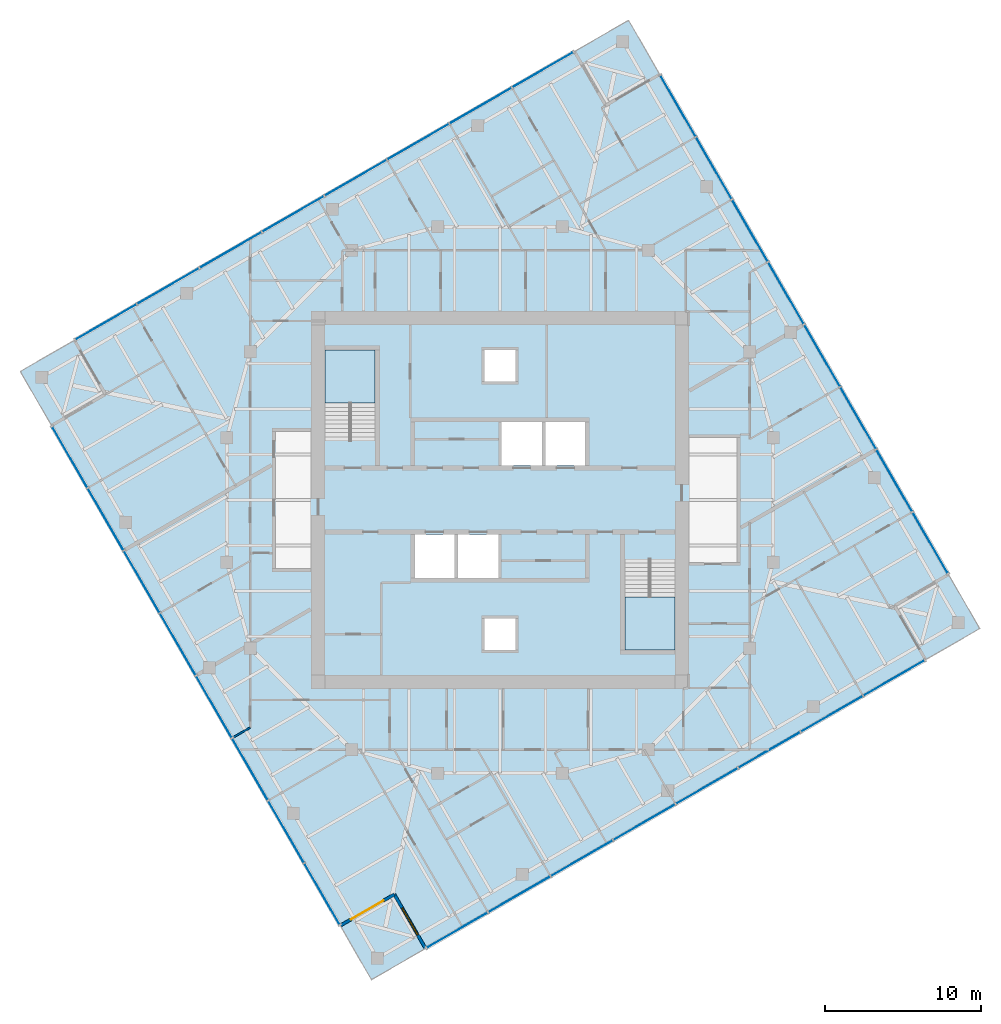
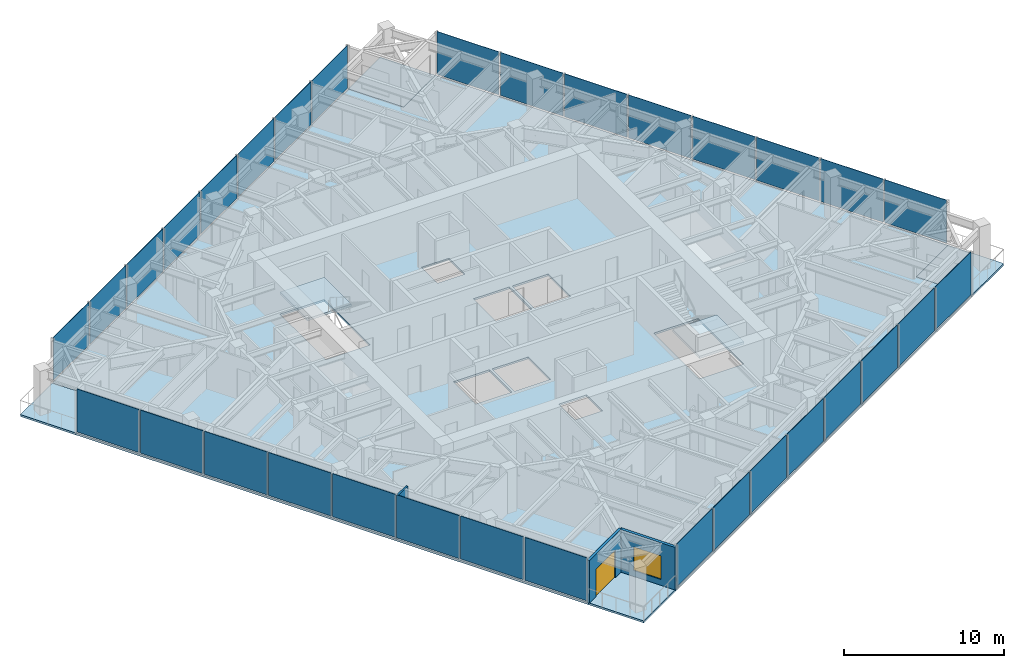
# One storey, part 6 of 12: 32 plates, 7 slabs, 3 walls, 1 door, 1 window, 2 openings, 6 elements without a shape of their own.
"""IFC4 building model written with IfcOpenShell, lengths in metres."""

from ifc_helpers import new_model, si_unit, direction, frame, frame_2d, origin, origin_2d, place, context, subcontext, project, spatial, polyline, rectangle, outline, extrude, material, layer, layer_set, type_object, element, fill, aggregate, save


model = new_model("IFC4")

# Units and contexts
model_context = context("Model", 3, precision=1e-05, world=origin(), true_north=direction((0.0, 1.0)))
body_context = subcontext(model_context, "Body", "Model", "MODEL_VIEW")
ifc_project = project(units=[si_unit("LENGTHUNIT", "METRE"), si_unit("AREAUNIT", "SQUARE_METRE"), si_unit("VOLUMEUNIT", "CUBIC_METRE"), si_unit("PLANEANGLEUNIT", "RADIAN"), si_unit("MASSUNIT", "GRAM", prefix="KILO")], contexts=[model_context])

# Site, building, storey
site_placement = place(None, origin())
site = spatial("IfcSite", under=ifc_project, at=site_placement, CompositionType="ELEMENT")
building_placement = place(site_placement, origin())
building = spatial("IfcBuilding", under=site, at=building_placement, Name="Torsade Residences", CompositionType="ELEMENT")
storey_placement = place(building_placement, frame((0.0, 0.0, 218.39990234375)))
storey = spatial("IfcBuildingStorey", under=building, at=storey_placement, Name="L60", CompositionType="ELEMENT", Elevation=218.39990234375)

# Slab
ifc_material_1 = material(Name="Concrete 40 MPa", Category="concrete")
ifc_layer_1 = layer(ifc_material_1, 0.14990234375)
ifc_layer_set_1 = layer_set([ifc_layer_1], Name="Concrete 40 MPa")
slab_type_1 = type_object("IfcSlabType", Name="COMPOSITE FLOOR SLAB 150", PredefinedType="FLOOR", material=ifc_layer_set_1)
slab_1_placement = place(storey_placement, frame((0.0, 0.0, -0.14990234375)))
element("IfcSlab", 1, at=slab_1_placement, inside=storey, type_object=slab_type_1, Name="Floor slab L60", PredefinedType="FLOOR", context=body_context, shape_type="SweptSolid", body=[
    extrude(outline(polyline([(35.228515625, 1.264404296875), (67.271484375, 19.764404296875), (65.271484375, 23.228515625), (68.735595703125, 25.228515625), (50.235595703125, 57.271484375), (46.771484375, 55.271484375), (44.771484375, 58.735595703125), (12.728515625, 40.235595703125), (14.728515625, 36.771484375), (11.264404296875, 34.771484375), (29.764404296875, 2.728515625), (33.228515625, 4.728515625), (35.228515625, 1.264404296875)]), holes=[polyline([(51.199951171875, 26.1201171875), (48.0, 26.1201171875), (48.0, 20.39990234375), (51.199951171875, 20.39990234375), (51.199951171875, 26.1201171875)]), polyline([(45.5, 35.0), (42.89990234375, 35.0), (42.89990234375, 32.199951171875), (45.5, 32.199951171875), (45.5, 35.0)]), polyline([(42.699951171875, 35.0), (40.10009765625, 35.0), (40.10009765625, 32.199951171875), (42.699951171875, 32.199951171875), (42.699951171875, 35.0)]), polyline([(41.0, 22.39990234375), (39.0, 22.39990234375), (39.0, 20.39990234375), (41.0, 20.39990234375), (41.0, 22.39990234375)]), polyline([(41.0, 39.60009765625), (39.0, 39.60009765625), (39.0, 37.60009765625), (41.0, 37.60009765625), (41.0, 39.60009765625)]), polyline([(39.89990234375, 27.800048828125), (37.300048828125, 27.800048828125), (37.300048828125, 25.0), (39.89990234375, 25.0), (39.89990234375, 27.800048828125)]), polyline([(37.10009765625, 27.800048828125), (34.5, 27.800048828125), (34.5, 25.0), (37.10009765625, 25.0), (37.10009765625, 27.800048828125)]), polyline([(32.0, 39.60009765625), (28.800048828125, 39.60009765625), (28.800048828125, 33.8798828125), (32.0, 33.8798828125), (32.0, 39.60009765625)])]), origin(), (0.0, 0.0, 1.0), 0.14990234375),
])

# Curtain wall, plates
ifc_material_2 = material(Name="Aluminium and glass", Category="aluminium")
curtain_wall_type = type_object("IfcCurtainWallType", Name="FRITTED GLASS CURTAIN WALL HIGH ZONE", PredefinedType="NOTDEFINED", material=ifc_material_2)
curtain_wall_1_placement = place(storey_placement, origin())
curtain_wall_1 = element("IfcCurtainWall", 2, at=curtain_wall_1_placement, inside=storey, type_object=curtain_wall_type, Name="Curtain wall L60 face 1", PredefinedType="NOTDEFINED")
ifc_material_3 = material(Name="Laminated glass", Category="glass")
ifc_layer_2 = layer(ifc_material_3, 0.031982421875)
ifc_layer_set_2 = layer_set([ifc_layer_2], Name="Laminated glass")
plate_type_1 = type_object("IfcPlateType", Name="FRITTED GLASS PANEL", PredefinedType="CURTAIN_PANEL", material=ifc_layer_set_2)
plate_1_placement = place(storey_placement, frame((37.2529296875, 2.43310546875, 0.1201171875), z_axis=(0.0, 0.0, 1.0), x_axis=(0.866025404186, 0.499999999305, 0.0)))
plate_1 = element("IfcPlate", 3, at=plate_1_placement, type_object=plate_type_1, Name="Panel 1", PredefinedType="CURTAIN_PANEL", context=body_context, shape_type="SweptSolid", body=[
    extrude(rectangle(XDim=4.47509765625, YDim=0.031982421875, at=origin_2d()), origin(), (0.0, 0.0, 1.0), 3.280029296875),
])
plate_2_placement = place(storey_placement, frame((45.241943359375, 7.045654296875, 0.1201171875), z_axis=(0.0, 0.0, 1.0), x_axis=(0.866025404186, 0.499999999305, 0.0)))
plate_2 = element("IfcPlate", 4, at=plate_2_placement, type_object=plate_type_1, Name="Panel 3", PredefinedType="CURTAIN_PANEL", context=body_context, shape_type="SweptSolid", body=[
    extrude(rectangle(XDim=4.52490234375, YDim=0.031982421875, at=origin_2d()), origin(), (0.0, 0.0, 1.0), 3.280029296875),
])
plate_3_placement = place(storey_placement, frame((49.247314453125, 9.358154296875, 0.1201171875), z_axis=(0.0, 0.0, 1.0), x_axis=(0.866025404186, 0.499999999305, 0.0)))
plate_3 = element("IfcPlate", 5, at=plate_3_placement, type_object=plate_type_1, Name="Panel 4", PredefinedType="CURTAIN_PANEL", context=body_context, shape_type="SweptSolid", body=[
    extrude(rectangle(XDim=4.52490234375, YDim=0.031982421875, at=origin_2d()), origin(), (0.0, 0.0, 1.0), 3.280029296875),
])
plate_4_placement = place(storey_placement, frame((53.252685546875, 11.670654296875, 0.1201171875), z_axis=(0.0, 0.0, 1.0), x_axis=(0.866025404186, 0.499999999305, 0.0)))
plate_4 = element("IfcPlate", 6, at=plate_4_placement, type_object=plate_type_1, Name="Panel 5", PredefinedType="CURTAIN_PANEL", context=body_context, shape_type="SweptSolid", body=[
    extrude(rectangle(XDim=4.52490234375, YDim=0.031982421875, at=origin_2d()), origin(), (0.0, 0.0, 1.0), 3.280029296875),
])
plate_5_placement = place(storey_placement, frame((61.263427734375, 16.295654296875, 0.1201171875), z_axis=(0.0, 0.0, 1.0), x_axis=(0.866025404186, 0.499999999305, 0.0)))
plate_5 = element("IfcPlate", 7, at=plate_5_placement, type_object=plate_type_1, Name="Panel 7", PredefinedType="CURTAIN_PANEL", context=body_context, shape_type="SweptSolid", body=[
    extrude(rectangle(XDim=4.52490234375, YDim=0.031982421875, at=origin_2d()), origin(), (0.0, 0.0, 1.0), 3.280029296875),
])
plate_6_placement = place(storey_placement, frame((65.2470703125, 18.595703125, 0.1201171875), z_axis=(0.0, 0.0, 1.0), x_axis=(0.866025404186, 0.499999999305, 0.0)))
plate_6 = element("IfcPlate", 8, at=plate_6_placement, type_object=plate_type_1, Name="Panel 8", PredefinedType="CURTAIN_PANEL", context=body_context, shape_type="SweptSolid", body=[
    extrude(rectangle(XDim=4.47509765625, YDim=0.031982421875, at=origin_2d()), origin(), (0.0, 0.0, 1.0), 3.280029296875),
])

curtain_wall_2_placement = place(storey_placement, origin())
curtain_wall_2 = element("IfcCurtainWall", 9, at=curtain_wall_2_placement, inside=storey, type_object=curtain_wall_type, Name="Curtain wall L60 face 4", PredefinedType="NOTDEFINED")
plate_7_placement = place(storey_placement, frame((67.56689453125, 27.2529296875, 0.1201171875), z_axis=(0.0, 0.0, 1.0), x_axis=(-0.499999999305, 0.866025404186, 0.0)))
plate_7 = element("IfcPlate", 10, at=plate_7_placement, type_object=plate_type_1, Name="Panel 1", PredefinedType="CURTAIN_PANEL", context=body_context, shape_type="SweptSolid", body=[
    extrude(rectangle(XDim=4.47509765625, YDim=0.031982421875, at=origin_2d()), origin(), (0.0, 0.0, 1.0), 3.280029296875),
])
plate_8_placement = place(storey_placement, frame((62.954345703125, 35.241943359375, 0.1201171875), z_axis=(0.0, 0.0, 1.0), x_axis=(-0.499999999305, 0.866025404186, 0.0)))
plate_8 = element("IfcPlate", 11, at=plate_8_placement, type_object=plate_type_1, Name="Panel 3", PredefinedType="CURTAIN_PANEL", context=body_context, shape_type="SweptSolid", body=[
    extrude(rectangle(XDim=4.52490234375, YDim=0.031982421875, at=origin_2d()), origin(), (0.0, 0.0, 1.0), 3.280029296875),
])
plate_9_placement = place(storey_placement, frame((60.641845703125, 39.247314453125, 0.1201171875), z_axis=(0.0, 0.0, 1.0), x_axis=(-0.499999999305, 0.866025404186, 0.0)))
plate_9 = element("IfcPlate", 12, at=plate_9_placement, type_object=plate_type_1, Name="Panel 4", PredefinedType="CURTAIN_PANEL", context=body_context, shape_type="SweptSolid", body=[
    extrude(rectangle(XDim=4.52490234375, YDim=0.031982421875, at=origin_2d()), origin(), (0.0, 0.0, 1.0), 3.280029296875),
])
plate_10_placement = place(storey_placement, frame((58.329345703125, 43.252685546875, 0.1201171875), z_axis=(0.0, 0.0, 1.0), x_axis=(-0.499999999305, 0.866025404186, 0.0)))
plate_10 = element("IfcPlate", 13, at=plate_10_placement, type_object=plate_type_1, Name="Panel 5", PredefinedType="CURTAIN_PANEL", context=body_context, shape_type="SweptSolid", body=[
    extrude(rectangle(XDim=4.52490234375, YDim=0.031982421875, at=origin_2d()), origin(), (0.0, 0.0, 1.0), 3.280029296875),
])
plate_11_placement = place(storey_placement, frame((53.704345703125, 51.263427734375, 0.1201171875), z_axis=(0.0, 0.0, 1.0), x_axis=(-0.499999999305, 0.866025404186, 0.0)))
plate_11 = element("IfcPlate", 14, at=plate_11_placement, type_object=plate_type_1, Name="Panel 7", PredefinedType="CURTAIN_PANEL", context=body_context, shape_type="SweptSolid", body=[
    extrude(rectangle(XDim=4.52490234375, YDim=0.031982421875, at=origin_2d()), origin(), (0.0, 0.0, 1.0), 3.280029296875),
])
plate_12_placement = place(storey_placement, frame((51.404296875, 55.2470703125, 0.1201171875), z_axis=(0.0, 0.0, 1.0), x_axis=(-0.499999999305, 0.866025404186, 0.0)))
plate_12 = element("IfcPlate", 15, at=plate_12_placement, type_object=plate_type_1, Name="Panel 8", PredefinedType="CURTAIN_PANEL", context=body_context, shape_type="SweptSolid", body=[
    extrude(rectangle(XDim=4.47509765625, YDim=0.031982421875, at=origin_2d()), origin(), (0.0, 0.0, 1.0), 3.280029296875),
])

curtain_wall_3_placement = place(storey_placement, origin())
curtain_wall_3 = element("IfcCurtainWall", 16, at=curtain_wall_3_placement, inside=storey, type_object=curtain_wall_type, Name="Curtain wall L60 face 7", PredefinedType="NOTDEFINED")
plate_13_placement = place(storey_placement, frame((42.7470703125, 57.56689453125, 0.1201171875), z_axis=(0.0, 0.0, 1.0), x_axis=(-0.866025404186, -0.499999999305, 0.0)))
plate_13 = element("IfcPlate", 17, at=plate_13_placement, type_object=plate_type_1, Name="Panel 1", PredefinedType="CURTAIN_PANEL", context=body_context, shape_type="SweptSolid", body=[
    extrude(rectangle(XDim=4.47509765625, YDim=0.031982421875, at=origin_2d()), origin(), (0.0, 0.0, 1.0), 3.280029296875),
])
plate_14_placement = place(storey_placement, frame((34.758056640625, 52.954345703125, 0.1201171875), z_axis=(0.0, 0.0, 1.0), x_axis=(-0.866025404186, -0.499999999305, 0.0)))
plate_14 = element("IfcPlate", 18, at=plate_14_placement, type_object=plate_type_1, Name="Panel 3", PredefinedType="CURTAIN_PANEL", context=body_context, shape_type="SweptSolid", body=[
    extrude(rectangle(XDim=4.52490234375, YDim=0.031982421875, at=origin_2d()), origin(), (0.0, 0.0, 1.0), 3.280029296875),
])
plate_15_placement = place(storey_placement, frame((30.752685546875, 50.641845703125, 0.1201171875), z_axis=(0.0, 0.0, 1.0), x_axis=(-0.866025404186, -0.499999999305, 0.0)))
plate_15 = element("IfcPlate", 19, at=plate_15_placement, type_object=plate_type_1, Name="Panel 4", PredefinedType="CURTAIN_PANEL", context=body_context, shape_type="SweptSolid", body=[
    extrude(rectangle(XDim=4.52490234375, YDim=0.031982421875, at=origin_2d()), origin(), (0.0, 0.0, 1.0), 3.280029296875),
])
plate_16_placement = place(storey_placement, frame((26.747314453125, 48.329345703125, 0.1201171875), z_axis=(0.0, 0.0, 1.0), x_axis=(-0.866025404186, -0.499999999305, 0.0)))
plate_16 = element("IfcPlate", 20, at=plate_16_placement, type_object=plate_type_1, Name="Panel 5", PredefinedType="CURTAIN_PANEL", context=body_context, shape_type="SweptSolid", body=[
    extrude(rectangle(XDim=4.52490234375, YDim=0.031982421875, at=origin_2d()), origin(), (0.0, 0.0, 1.0), 3.280029296875),
])
plate_17_placement = place(storey_placement, frame((18.736572265625, 43.704345703125, 0.1201171875), z_axis=(0.0, 0.0, 1.0), x_axis=(-0.866025404186, -0.499999999305, 0.0)))
plate_17 = element("IfcPlate", 21, at=plate_17_placement, type_object=plate_type_1, Name="Panel 7", PredefinedType="CURTAIN_PANEL", context=body_context, shape_type="SweptSolid", body=[
    extrude(rectangle(XDim=4.52490234375, YDim=0.031982421875, at=origin_2d()), origin(), (0.0, 0.0, 1.0), 3.280029296875),
])
plate_18_placement = place(storey_placement, frame((14.7529296875, 41.404296875, 0.1201171875), z_axis=(0.0, 0.0, 1.0), x_axis=(-0.866025404186, -0.499999999305, 0.0)))
plate_18 = element("IfcPlate", 22, at=plate_18_placement, type_object=plate_type_1, Name="Panel 8", PredefinedType="CURTAIN_PANEL", context=body_context, shape_type="SweptSolid", body=[
    extrude(rectangle(XDim=4.47509765625, YDim=0.031982421875, at=origin_2d()), origin(), (0.0, 0.0, 1.0), 3.280029296875),
])

curtain_wall_4_placement = place(storey_placement, origin())
curtain_wall_4 = element("IfcCurtainWall", 23, at=curtain_wall_4_placement, inside=storey, type_object=curtain_wall_type, Name="Curtain wall L60 face 10", PredefinedType="NOTDEFINED")
plate_19_placement = place(storey_placement, frame((12.43310546875, 32.7470703125, 0.1201171875), z_axis=(0.0, 0.0, 1.0), x_axis=(0.499999999305, -0.866025404186, 0.0)))
plate_19 = element("IfcPlate", 24, at=plate_19_placement, type_object=plate_type_1, Name="Panel 1", PredefinedType="CURTAIN_PANEL", context=body_context, shape_type="SweptSolid", body=[
    extrude(rectangle(XDim=4.47509765625, YDim=0.031982421875, at=origin_2d()), origin(), (0.0, 0.0, 1.0), 3.280029296875),
])
plate_20_placement = place(storey_placement, frame((17.045654296875, 24.758056640625, 0.1201171875), z_axis=(0.0, 0.0, 1.0), x_axis=(0.499999999305, -0.866025404186, 0.0)))
plate_20 = element("IfcPlate", 25, at=plate_20_placement, type_object=plate_type_1, Name="Panel 3", PredefinedType="CURTAIN_PANEL", context=body_context, shape_type="SweptSolid", body=[
    extrude(rectangle(XDim=4.52490234375, YDim=0.031982421875, at=origin_2d()), origin(), (0.0, 0.0, 1.0), 3.280029296875),
])
plate_21_placement = place(storey_placement, frame((19.358154296875, 20.752685546875, 0.1201171875), z_axis=(0.0, 0.0, 1.0), x_axis=(0.499999999305, -0.866025404186, 0.0)))
plate_21 = element("IfcPlate", 26, at=plate_21_placement, type_object=plate_type_1, Name="Panel 4", PredefinedType="CURTAIN_PANEL", context=body_context, shape_type="SweptSolid", body=[
    extrude(rectangle(XDim=4.52490234375, YDim=0.031982421875, at=origin_2d()), origin(), (0.0, 0.0, 1.0), 3.280029296875),
])
plate_22_placement = place(storey_placement, frame((21.670654296875, 16.747314453125, 0.1201171875), z_axis=(0.0, 0.0, 1.0), x_axis=(0.499999999305, -0.866025404186, 0.0)))
plate_22 = element("IfcPlate", 27, at=plate_22_placement, type_object=plate_type_1, Name="Panel 5", PredefinedType="CURTAIN_PANEL", context=body_context, shape_type="SweptSolid", body=[
    extrude(rectangle(XDim=4.52490234375, YDim=0.031982421875, at=origin_2d()), origin(), (0.0, 0.0, 1.0), 3.280029296875),
])
plate_23_placement = place(storey_placement, frame((26.295654296875, 8.736572265625, 0.1201171875), z_axis=(0.0, 0.0, 1.0), x_axis=(0.499999999305, -0.866025404186, 0.0)))
plate_23 = element("IfcPlate", 28, at=plate_23_placement, type_object=plate_type_1, Name="Panel 7", PredefinedType="CURTAIN_PANEL", context=body_context, shape_type="SweptSolid", body=[
    extrude(rectangle(XDim=4.52490234375, YDim=0.031982421875, at=origin_2d()), origin(), (0.0, 0.0, 1.0), 3.280029296875),
])
plate_24_placement = place(storey_placement, frame((28.595703125, 4.7529296875, 0.1201171875), z_axis=(0.0, 0.0, 1.0), x_axis=(0.499999999305, -0.866025404186, 0.0)))
plate_24 = element("IfcPlate", 29, at=plate_24_placement, type_object=plate_type_1, Name="Panel 8", PredefinedType="CURTAIN_PANEL", context=body_context, shape_type="SweptSolid", body=[
    extrude(rectangle(XDim=4.47509765625, YDim=0.031982421875, at=origin_2d()), origin(), (0.0, 0.0, 1.0), 3.280029296875),
])

# Plate
ifc_material_4 = material(Name="Laminated glass", Category="glass")
ifc_layer_3 = layer(ifc_material_4, 0.0400390625)
ifc_layer_set_3 = layer_set([ifc_layer_3], Name="Laminated glass")
plate_type_2 = type_object("IfcPlateType", Name="OPERABLE VENT PANEL", PredefinedType="CURTAIN_PANEL", material=ifc_layer_set_3)
plate_25_placement = place(storey_placement, frame((41.236572265625, 4.733154296875, 0.1201171875), z_axis=(0.0, 0.0, 1.0), x_axis=(0.866025404186, 0.499999999305, 0.0)))
plate_25 = element("IfcPlate", 30, at=plate_25_placement, type_object=plate_type_2, Name="Panel 2", PredefinedType="CURTAIN_PANEL", context=body_context, shape_type="SweptSolid", body=[
    extrude(rectangle(XDim=4.52490234375, YDim=0.0400390625, at=origin_2d()), origin(), (0.0, 0.0, 1.0), 3.280029296875),
])

plate_26_placement = place(storey_placement, frame((57.258056640625, 13.983154296875, 0.1201171875), z_axis=(0.0, 0.0, 1.0), x_axis=(0.866025404186, 0.499999999305, 0.0)))
plate_26 = element("IfcPlate", 31, at=plate_26_placement, type_object=plate_type_2, Name="Panel 6", PredefinedType="CURTAIN_PANEL", context=body_context, shape_type="SweptSolid", body=[
    extrude(rectangle(XDim=4.52490234375, YDim=0.0400390625, at=origin_2d()), origin(), (0.0, 0.0, 1.0), 3.280029296875),
])

aggregate(curtain_wall_1, [plate_1, plate_25, plate_2, plate_3, plate_4, plate_26, plate_5, plate_6])

plate_27_placement = place(storey_placement, frame((65.266845703125, 31.236572265625, 0.1201171875), z_axis=(0.0, 0.0, 1.0), x_axis=(-0.499999999305, 0.866025404186, 0.0)))
plate_27 = element("IfcPlate", 32, at=plate_27_placement, type_object=plate_type_2, Name="Panel 2", PredefinedType="CURTAIN_PANEL", context=body_context, shape_type="SweptSolid", body=[
    extrude(rectangle(XDim=4.52490234375, YDim=0.0400390625, at=origin_2d()), origin(), (0.0, 0.0, 1.0), 3.280029296875),
])

plate_28_placement = place(storey_placement, frame((56.016845703125, 47.258056640625, 0.1201171875), z_axis=(0.0, 0.0, 1.0), x_axis=(-0.499999999305, 0.866025404186, 0.0)))
plate_28 = element("IfcPlate", 33, at=plate_28_placement, type_object=plate_type_2, Name="Panel 6", PredefinedType="CURTAIN_PANEL", context=body_context, shape_type="SweptSolid", body=[
    extrude(rectangle(XDim=4.52490234375, YDim=0.0400390625, at=origin_2d()), origin(), (0.0, 0.0, 1.0), 3.280029296875),
])

aggregate(curtain_wall_2, [plate_7, plate_27, plate_8, plate_9, plate_10, plate_28, plate_11, plate_12])

plate_29_placement = place(storey_placement, frame((38.763427734375, 55.266845703125, 0.1201171875), z_axis=(0.0, 0.0, 1.0), x_axis=(-0.866025404186, -0.499999999305, 0.0)))
plate_29 = element("IfcPlate", 34, at=plate_29_placement, type_object=plate_type_2, Name="Panel 2", PredefinedType="CURTAIN_PANEL", context=body_context, shape_type="SweptSolid", body=[
    extrude(rectangle(XDim=4.52490234375, YDim=0.0400390625, at=origin_2d()), origin(), (0.0, 0.0, 1.0), 3.280029296875),
])

plate_30_placement = place(storey_placement, frame((22.741943359375, 46.016845703125, 0.1201171875), z_axis=(0.0, 0.0, 1.0), x_axis=(-0.866025404186, -0.499999999305, 0.0)))
plate_30 = element("IfcPlate", 35, at=plate_30_placement, type_object=plate_type_2, Name="Panel 6", PredefinedType="CURTAIN_PANEL", context=body_context, shape_type="SweptSolid", body=[
    extrude(rectangle(XDim=4.52490234375, YDim=0.0400390625, at=origin_2d()), origin(), (0.0, 0.0, 1.0), 3.280029296875),
])

aggregate(curtain_wall_3, [plate_13, plate_29, plate_14, plate_15, plate_16, plate_30, plate_17, plate_18])

plate_31_placement = place(storey_placement, frame((14.733154296875, 28.763427734375, 0.1201171875), z_axis=(0.0, 0.0, 1.0), x_axis=(0.499999999305, -0.866025404186, 0.0)))
plate_31 = element("IfcPlate", 36, at=plate_31_placement, type_object=plate_type_2, Name="Panel 2", PredefinedType="CURTAIN_PANEL", context=body_context, shape_type="SweptSolid", body=[
    extrude(rectangle(XDim=4.52490234375, YDim=0.0400390625, at=origin_2d()), origin(), (0.0, 0.0, 1.0), 3.280029296875),
])

plate_32_placement = place(storey_placement, frame((23.983154296875, 12.741943359375, 0.1201171875), z_axis=(0.0, 0.0, 1.0), x_axis=(0.499999999305, -0.866025404186, 0.0)))
plate_32 = element("IfcPlate", 37, at=plate_32_placement, type_object=plate_type_2, Name="Panel 6", PredefinedType="CURTAIN_PANEL", context=body_context, shape_type="SweptSolid", body=[
    extrude(rectangle(XDim=4.52490234375, YDim=0.0400390625, at=origin_2d()), origin(), (0.0, 0.0, 1.0), 3.280029296875),
])

aggregate(curtain_wall_4, [plate_19, plate_31, plate_20, plate_21, plate_22, plate_32, plate_23, plate_24])

# Stair, slab
ifc_material_5 = material(Name="Precast concrete 40 MPa", Category="concrete")
stair_type = type_object("IfcStairType", Name="HALF-TURN FIRE STAIR 1500x3400", PredefinedType="HALF_TURN_STAIR", material=ifc_material_5)
stair_1_placement = place(storey_placement, origin())
stair_1 = element("IfcStair", 38, at=stair_1_placement, inside=storey, type_object=stair_type, Name="Stair ST1 L60", PredefinedType="HALF_TURN_STAIR")
ifc_material_6 = material(Name="Precast concrete 40 MPa", Category="concrete")
ifc_layer_4 = layer(ifc_material_6, 0.179931640625)
ifc_layer_set_4 = layer_set([ifc_layer_4], Name="Precast concrete 40 MPa")
slab_type_2 = type_object("IfcSlabType", Name="PRECAST STAIR LANDING 180", PredefinedType="LANDING", material=ifc_layer_set_4)
slab_2_placement = place(storey_placement, frame((0.0, 0.0, 1.52001953125)))
slab_2 = element("IfcSlab", 39, at=slab_2_placement, type_object=slab_type_2, Name="ST1 landing 1", PredefinedType="LANDING", context=body_context, shape_type="SweptSolid", body=[
    extrude(outline(polyline([(28.800048828125, 36.2099609375), (32.0, 36.2099609375), (32.0, 39.60009765625), (28.800048828125, 39.60009765625), (28.800048828125, 36.2099609375)])), origin(), (0.0, 0.0, 1.0), 0.18017578125),
])
aggregate(stair_1, [slab_2])

stair_2_placement = place(storey_placement, origin())
stair_2 = element("IfcStair", 40, at=stair_2_placement, inside=storey, type_object=stair_type, Name="Stair ST2 L60", PredefinedType="HALF_TURN_STAIR")
slab_3_placement = place(storey_placement, frame((0.0, 0.0, 1.52001953125)))
slab_3 = element("IfcSlab", 41, at=slab_3_placement, type_object=slab_type_2, Name="ST2 landing 1", PredefinedType="LANDING", context=body_context, shape_type="SweptSolid", body=[
    extrude(outline(polyline([(48.0, 20.39990234375), (51.199951171875, 20.39990234375), (51.199951171875, 23.7900390625), (48.0, 23.7900390625), (48.0, 20.39990234375)])), origin(), (0.0, 0.0, 1.0), 0.18017578125),
])
aggregate(stair_2, [slab_3])

# Slabs
ifc_material_7 = material(Name="Concrete 40 MPa", Category="concrete")
ifc_layer_5 = layer(ifc_material_7, 0.14990234375)
ifc_layer_set_5 = layer_set([ifc_layer_5], Name="Concrete 40 MPa")
slab_type_3 = type_object("IfcSlabType", Name="TERRACE SLAB 150", PredefinedType="FLOOR", material=ifc_layer_set_5)
slab_4_placement = place(storey_placement, frame((0.0, 0.0, -0.14990234375)))
element("IfcSlab", 42, at=slab_4_placement, inside=storey, type_object=slab_type_3, Name="Corner terrace slab SE L60", PredefinedType="FLOOR", context=body_context, shape_type="SweptSolid", body=[
    extrude(outline(polyline([(67.271484375, 19.764404296875), (70.735595703125, 21.764404296875), (68.735595703125, 25.228515625), (65.271484375, 23.228515625), (67.271484375, 19.764404296875)])), origin(), (0.0, 0.0, 1.0), 0.14990234375),
])
slab_5_placement = place(storey_placement, frame((0.0, 0.0, -0.14990234375)))
element("IfcSlab", 43, at=slab_5_placement, inside=storey, type_object=slab_type_3, Name="Corner terrace slab NE L60", PredefinedType="FLOOR", context=body_context, shape_type="SweptSolid", body=[
    extrude(outline(polyline([(46.771484375, 55.271484375), (50.235595703125, 57.271484375), (48.235595703125, 60.735595703125), (44.771484375, 58.735595703125), (46.771484375, 55.271484375)])), origin(), (0.0, 0.0, 1.0), 0.14990234375),
])
slab_6_placement = place(storey_placement, frame((0.0, 0.0, -0.14990234375)))
element("IfcSlab", 44, at=slab_6_placement, inside=storey, type_object=slab_type_3, Name="Corner terrace slab NW L60", PredefinedType="FLOOR", context=body_context, shape_type="SweptSolid", body=[
    extrude(outline(polyline([(11.264404296875, 34.771484375), (14.728515625, 36.771484375), (12.728515625, 40.235595703125), (9.264404296875, 38.235595703125), (11.264404296875, 34.771484375)])), origin(), (0.0, 0.0, 1.0), 0.14990234375),
])
slab_7_placement = place(storey_placement, frame((0.0, 0.0, -0.14990234375)))
element("IfcSlab", 45, at=slab_7_placement, inside=storey, type_object=slab_type_3, Name="Corner terrace slab SW L60", PredefinedType="FLOOR", context=body_context, shape_type="SweptSolid", body=[
    extrude(outline(polyline([(31.764404296875, -0.735595703125), (35.228515625, 1.264404296875), (33.228515625, 4.728515625), (29.764404296875, 2.728515625), (31.764404296875, -0.735595703125)])), origin(), (0.0, 0.0, 1.0), 0.14990234375),
])

# Wall
ifc_material_8 = material(Name="Plasterboard on steel stud", Category="steel")
ifc_layer_6 = layer(ifc_material_8, 0.1201171875)
ifc_layer_set_6 = layer_set([ifc_layer_6], Name="Plasterboard on steel stud")
wall_type_1 = type_object("IfcWallType", Name="PARTITION 120", PredefinedType="PARTITIONING", material=ifc_layer_set_6)
wall_1_placement = place(storey_placement, frame((22.861572265625, 14.7646484375, 0.0), z_axis=(0.0, 0.0, 1.0), x_axis=(0.866040225545, 0.499974327079, 0.0)))
element("IfcWall", 46, at=wall_1_placement, inside=storey, type_object=wall_type_1, Name="Partition L60", PredefinedType="PARTITIONING", context=body_context, shape_type="SweptSolid", body=[
    extrude(rectangle(XDim=1.314453125, YDim=0.1201171875, at=frame_2d((0.6572265625, 0.0))), origin(), (0.0, 0.0, 1.0), 3.25),
])

# Wall, opening, door
ifc_material_9 = material(Name="Stone-faced precast concrete 40 MPa panel", Category="masonry")
ifc_layer_7 = layer(ifc_material_9, 0.199951171875)
ifc_layer_set_7 = layer_set([ifc_layer_7], Name="Stone-faced precast concrete 40 MPa panel")
wall_type_2 = type_object("IfcWallType", Name="TERRACE WALL 200", PredefinedType="SOLIDWALL", material=ifc_layer_set_7)
wall_2_placement = place(storey_placement, frame((29.764404296875, 2.728515625, 0.0), z_axis=(0.0, 0.0, 1.0), x_axis=(0.866026010844, 0.49999894854, 0.0)))
wall_2 = element("IfcWall", 47, at=wall_2_placement, inside=storey, type_object=wall_type_2, Name="Terrace wall L60 11", PredefinedType="SOLIDWALL", context=body_context, shape_type="SweptSolid", body=[
    extrude(rectangle(XDim=4.0, YDim=0.199951171875, at=frame_2d((2.0, 0.0))), origin(), (0.0, 0.0, 1.0), 3.25),
])
opening_1_placement = place(wall_2_placement, frame((0.800048828125, 0.0, 0.0)))
opening_1 = element("IfcOpeningElement", 48, at=opening_1_placement, cuts=wall_2, Name="Opening D10A", PredefinedType="OPENING", context=body_context, shape_type="SweptSolid", body=[
    extrude(rectangle(XDim=2.39990234375, YDim=2.10009765625, at=frame_2d((1.199951171875, 1.050048828125))), frame((0.0, 0.10986328125, 0.0), z_axis=(0.0, -1.0, 0.0), x_axis=(1.0, 0.0, 0.0)), (0.0, 0.0, 1.0), 0.219970703125),
])
ifc_material_10 = material(Name="Aluminium-framed glass door", Category="aluminium")
door_type = type_object("IfcDoorType", Name="TERRACE SLIDING DOOR 2400x2100", OperationType="SLIDING_TO_LEFT", PredefinedType="DOOR", material=ifc_material_10)
door_placement = place(opening_1_placement, origin())
door = element("IfcDoor", 49, at=door_placement, inside=storey, type_object=door_type, Name="Terrace door L60 11", OperationType="SLIDING_TO_LEFT", OverallHeight=2.10009765625, OverallWidth=2.39990234375, PredefinedType="DOOR", context=body_context, shape_type="SweptSolid", body=[
    extrude(rectangle(XDim=2.39990234375, YDim=2.10009765625, at=frame_2d((1.199951171875, 1.050048828125))), frame((0.0, 0.02490234375, 0.0), z_axis=(0.0, -1.0, 0.0), x_axis=(1.0, 0.0, 0.0)), (0.0, 0.0, 1.0), 0.050048828125),
])
fill(opening_1, door)

# Wall, opening, window
wall_3_placement = place(storey_placement, frame((33.228515625, 4.728515625, 0.0), z_axis=(0.0, 0.0, 1.0), x_axis=(0.49999894854, -0.866026010844, 0.0)))
wall_3 = element("IfcWall", 50, at=wall_3_placement, inside=storey, type_object=wall_type_2, Name="Terrace wall L60 12", PredefinedType="SOLIDWALL", context=body_context, shape_type="SweptSolid", body=[
    extrude(rectangle(XDim=4.0, YDim=0.199951171875, at=frame_2d((2.0, 0.0))), origin(), (0.0, 0.0, 1.0), 3.25),
])
opening_2_placement = place(wall_3_placement, frame((1.0, 0.0, 0.449951171875)))
opening_2 = element("IfcOpeningElement", 51, at=opening_2_placement, cuts=wall_3, Name="Opening W1B", PredefinedType="OPENING", context=body_context, shape_type="SweptSolid", body=[
    extrude(rectangle(XDim=2.0, YDim=1.800048828125, at=frame_2d((1.0, 0.89990234375))), frame((0.0, 0.10986328125, 0.0), z_axis=(0.0, -1.0, 0.0), x_axis=(1.0, 0.0, 0.0)), (0.0, 0.0, 1.0), 0.219970703125),
])
ifc_material_11 = material(Name="Aluminium-framed glass window", Category="aluminium")
window_type = type_object("IfcWindowType", Name="TERRACE WINDOW 2000x1800", PartitioningType="SINGLE_PANEL", PredefinedType="WINDOW", material=ifc_material_11)
window_placement = place(opening_2_placement, origin())
window = element("IfcWindow", 52, at=window_placement, inside=storey, type_object=window_type, Name="Terrace window L60 12", OverallHeight=1.800048828125, OverallWidth=2.0, PartitioningType="SINGLE_PANEL", PredefinedType="WINDOW", context=body_context, shape_type="SweptSolid", body=[
    extrude(rectangle(XDim=2.0, YDim=1.800048828125, at=frame_2d((1.0, 0.89990234375))), frame((0.0, 0.030029296875, 0.0), z_axis=(0.0, -1.0, 0.0), x_axis=(1.0, 0.0, 0.0)), (0.0, 0.0, 1.0), 0.06005859375),
])
fill(opening_2, window)

save(model, "model.ifc")
